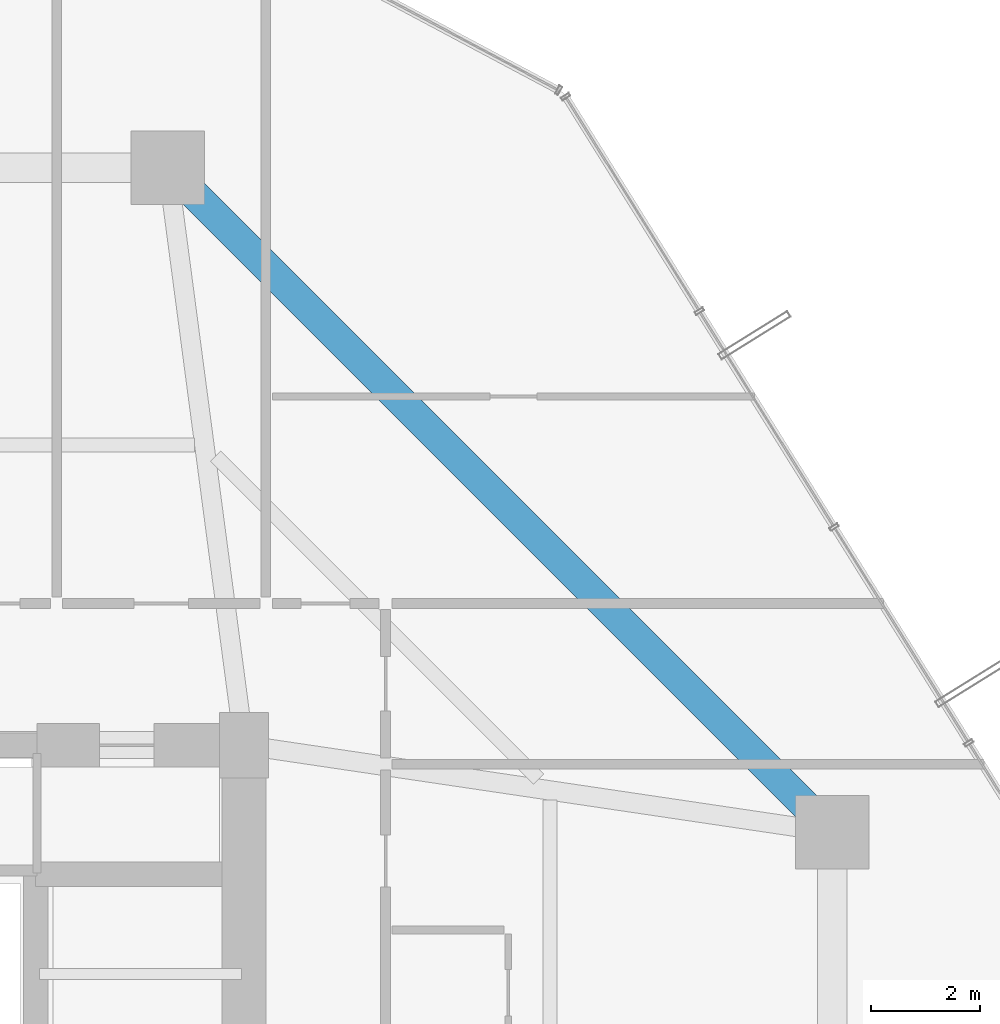
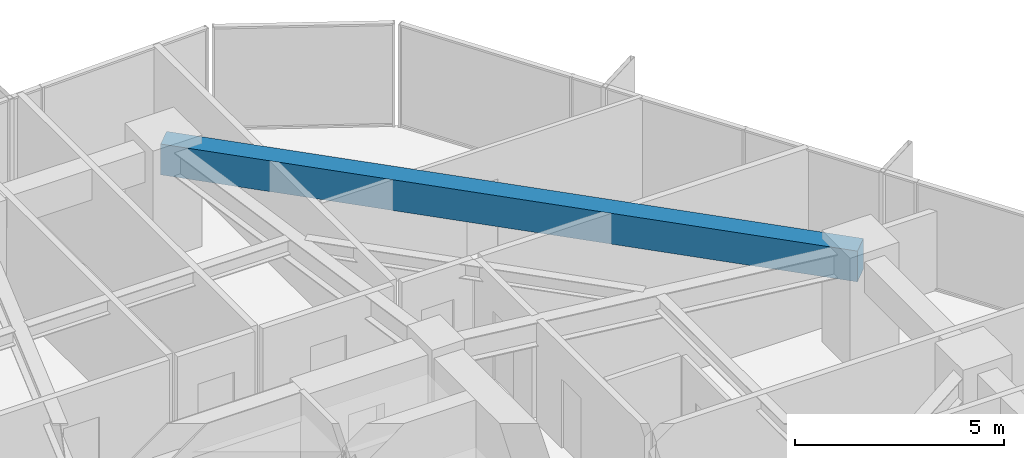
# One storey, part 30 of 39: 1 beam.
"""IFC4 building model written with IfcOpenShell, lengths in metres."""

import ifcopenshell
import ifcopenshell.guid

model = None  # the IFC model being written
_history = None  # IfcOwnerHistory: only IFC2X3 demands one
_inside = {}  # id of a spatial element -> (the spatial element, [elements in it])
_under = {}  # id of a project, library or spatial element -> (it, [spatial elements below it])
_declared = {}  # id of a project -> (the project, [libraries it declares])
_typed = {}  # id of a type object -> (the type object, [elements of that type])
_made_of = {}  # id of a material, layer set ... -> (it, [elements and type objects made of it])


def new_model(schema):
    """Start an empty IFC model of exactly this schema.

    Asked for "IFC4X3", IfcOpenShell would pick the latest addendum, in which some entities
    have other attributes; the version numbers below select the first issue.
    IFC2X3 requires an IfcOwnerHistory on every rooted entity: one is made here for all.
    """
    global model, _history
    if schema == "IFC4X3":
        model = ifcopenshell.file(schema_version=(4, 3, 0, 0))
    else:
        model = ifcopenshell.file(schema=schema)
    _inside.clear()
    _under.clear()
    _declared.clear()
    _typed.clear()
    _made_of.clear()
    _history = None
    if model.schema == "IFC2X3":
        org = make("IfcOrganization", Name="unknown")
        user = make(
            "IfcPersonAndOrganization",
            ThePerson=make("IfcPerson", FamilyName="unknown"),
            TheOrganization=org,
        )
        app = make(
            "IfcApplication",
            ApplicationDeveloper=org,
            Version="unknown",
            ApplicationFullName="unknown",
            ApplicationIdentifier="unknown",
        )
        _history = make(
            "IfcOwnerHistory",
            OwningUser=user,
            OwningApplication=app,
            ChangeAction="ADDED",
            CreationDate=0,
        )
    return model


def make(cls, **values):
    """One entity of the class cls with the attributes given. An attribute that is None is left unset."""
    return model.create_entity(
        cls, **{name: value for name, value in values.items() if value is not None}
    )


def rooted(cls, **values):
    """An entity with a GlobalId (a new one), such as an element, a storey or a relation."""
    return make(cls, GlobalId=ifcopenshell.guid.new(), OwnerHistory=_history, **values)


def si_unit(unit_type, name, prefix=None):
    """IfcSIUnit, for example si_unit("LENGTHUNIT", "METRE", prefix="MILLI")."""
    return make("IfcSIUnit", UnitType=unit_type, Prefix=prefix, Name=name)


def assignment(units):
    """IfcUnitAssignment: the units of a project."""
    return None if units is None else make("IfcUnitAssignment", Units=units)


def point(xyz):
    """IfcCartesianPoint."""
    return None if xyz is None else make("IfcCartesianPoint", Coordinates=xyz)


def direction(xyz):
    """IfcDirection."""
    return None if xyz is None else make("IfcDirection", DirectionRatios=xyz)


def frame(location, z_axis=None, x_axis=None):
    """IfcAxis2Placement3D, a coordinate frame: its origin and axes. An axis left out is left unset."""
    return make(
        "IfcAxis2Placement3D",
        Location=point(location),
        Axis=direction(z_axis),
        RefDirection=direction(x_axis),
    )


def frame_2d(location, x_axis=None):
    """IfcAxis2Placement2D, a coordinate frame in the plane: its origin and x axis."""
    return make(
        "IfcAxis2Placement2D", Location=point(location), RefDirection=direction(x_axis)
    )


def origin():
    """The frame at (0, 0, 0) with its axes left unset."""
    return frame((0.0, 0.0, 0.0))


def origin_2d():
    """The frame at (0, 0) in the plane with its x axis left unset."""
    return frame_2d((0.0, 0.0))


def place(relative_to, where):
    """IfcLocalPlacement: puts the frame where relative to a parent placement (None: the world)."""
    return make(
        "IfcLocalPlacement", PlacementRelTo=relative_to, RelativePlacement=where
    )


def context(
    kind, dimensions, precision=None, world=None, true_north=None, identifier=None
):
    """IfcGeometricRepresentationContext, for example the 3D "Model" context."""
    return make(
        "IfcGeometricRepresentationContext",
        ContextIdentifier=identifier,
        ContextType=kind,
        CoordinateSpaceDimension=dimensions,
        Precision=precision,
        WorldCoordinateSystem=world,
        TrueNorth=true_north,
    )


def subcontext(parent, identifier, kind, view, scale=None):
    """IfcGeometricRepresentationSubContext, for example "Body" below "Model"."""
    return make(
        "IfcGeometricRepresentationSubContext",
        ContextIdentifier=identifier,
        ContextType=kind,
        ParentContext=parent,
        TargetScale=scale,
        TargetView=view,
    )


def project(units=None, contexts=None):
    """IfcProject with its units and contexts."""
    return rooted(
        "IfcProject",
        Name="project",
        RepresentationContexts=contexts,
        UnitsInContext=assignment(units),
    )


def spatial(cls, under=None, at=None, **own):
    """A site, building, storey or space (cls), placed at a placement, below another one or the project."""
    s = rooted(cls, ObjectPlacement=at, **own)
    if under is not None:
        _under.setdefault(under.id(), (under, []))[1].append(s)
    return s


def profile(cls, at=None, kind="AREA", **sizes):
    """A parametric profile (cls). Its sizes go by their IFC names, for example OverallWidth=200.0."""
    return make(cls, ProfileType=kind, Position=at, **sizes)


def rectangle(**sizes):
    """IfcRectangleProfileDef."""
    return profile("IfcRectangleProfileDef", **sizes)


def extrude(swept, where, along, depth):
    """IfcExtrudedAreaSolid: the profile swept, set in the frame where, extruded along a direction by depth."""
    return make(
        "IfcExtrudedAreaSolid",
        SweptArea=swept,
        Position=where,
        ExtrudedDirection=direction(along),
        Depth=depth,
    )


def shape(context_of_items, identifier, shape_type, items):
    """IfcShapeRepresentation: the items that make up one representation, for example the "Body"."""
    return make(
        "IfcShapeRepresentation",
        ContextOfItems=context_of_items,
        RepresentationIdentifier=identifier,
        RepresentationType=shape_type,
        Items=items,
    )


def material(Name=None, Category=None):
    """IfcMaterial."""
    return make("IfcMaterial", Name=Name, Category=Category)


def material_profile(
    of_material, cross_section, Name=None, Category=None, Priority=None
):
    """IfcMaterialProfile: a cross section and its material."""
    return make(
        "IfcMaterialProfile",
        Name=Name,
        Material=of_material,
        Profile=cross_section,
        Priority=Priority,
        Category=Category,
    )


def profile_set(profiles, Name=None, composite=None):
    """IfcMaterialProfileSet."""
    return make(
        "IfcMaterialProfileSet",
        Name=Name,
        MaterialProfiles=profiles,
        CompositeProfile=composite,
    )


def made_of(thing, what):
    """Note that an element or type object is made of a material, layer set ...; save() writes the relation."""
    if what is not None:
        _made_of.setdefault(what.id(), (what, []))[1].append(thing)
    return thing


def type_object(cls, material=None, **own):
    """A type object (cls), such as IfcWallType, which elements share."""
    return made_of(rooted(cls, **own), material)


def element(
    cls,
    number,
    at=None,
    inside=None,
    cuts=None,
    type_object=None,
    material=None,
    context=None,
    identifier="Body",
    shape_type=None,
    held_by="IfcProductDefinitionShape",
    body=None,
    shapes=None,
    **own,
):
    """One element of the class cls, such as IfcWall. Its Tag is "e" and its number.

    at: its placement. inside: the storey or other place that contains it. cuts: it is an
    opening in that element (IfcRelVoidsElement). A single representation is given by context,
    identifier, shape_type and body (its items); several are given by shapes. held_by: the class
    of the entity that holds the representations. save() writes the other relations.
    """
    e = rooted(cls, Tag="e%d" % number, ObjectPlacement=at, **own)
    if body is not None:
        shapes = [shape(context, identifier, shape_type, body)]
    if shapes is not None:
        e.Representation = make(held_by, Representations=shapes)
    if inside is not None:
        _inside.setdefault(inside.id(), (inside, []))[1].append(e)
    if cuts is not None:
        rooted(
            "IfcRelVoidsElement", RelatingBuildingElement=cuts, RelatedOpeningElement=e
        )
    if type_object is not None:
        _typed.setdefault(type_object.id(), (type_object, []))[1].append(e)
    return made_of(e, material)


def aggregate(whole, parts):
    """IfcRelAggregates: a whole, such as a stair, and the parts it consists of."""
    return rooted("IfcRelAggregates", RelatingObject=whole, RelatedObjects=parts)


def save(model, path):
    """Write the relations noted so far, then the file.

    IfcRelAggregates (storeys below a building ...), IfcRelContainedInSpatialStructure (elements
    in a storey), IfcRelDefinesByType, IfcRelAssociatesMaterial and IfcRelDeclares: one each for
    every whole, place, type object, material and project.
    """
    for whole, parts in _under.values():
        aggregate(whole, parts)
    for where, things in _inside.values():
        rooted(
            "IfcRelContainedInSpatialStructure",
            RelatedElements=things,
            RelatingStructure=where,
        )
    for kind, things in _typed.values():
        rooted("IfcRelDefinesByType", RelatedObjects=things, RelatingType=kind)
    for what, things in _made_of.values():
        rooted("IfcRelAssociatesMaterial", RelatedObjects=things, RelatingMaterial=what)
    for by, libraries in _declared.values():
        rooted("IfcRelDeclares", RelatingContext=by, RelatedDefinitions=libraries)
    model.write(path)


model = new_model("IFC4")

# Units and contexts
model_context = context("Model", 3, precision=1e-05, world=origin(), true_north=direction((0.0, 1.0)))
body_context = subcontext(model_context, "Body", "Model", "MODEL_VIEW")
ifc_project = project(units=[si_unit("LENGTHUNIT", "METRE"), si_unit("AREAUNIT", "SQUARE_METRE"), si_unit("VOLUMEUNIT", "CUBIC_METRE"), si_unit("PLANEANGLEUNIT", "RADIAN"), si_unit("MASSUNIT", "GRAM", prefix="KILO")], contexts=[model_context])

# Site, building, storey
site_placement = place(None, origin())
site = spatial("IfcSite", under=ifc_project, at=site_placement, CompositionType="ELEMENT")
building_placement = place(site_placement, origin())
building = spatial("IfcBuilding", under=site, at=building_placement, Name="Veraguas Prism Commons", CompositionType="ELEMENT")
storey_placement = place(building_placement, frame((0.0, 0.0, 30.550048828125)))
storey = spatial("IfcBuildingStorey", under=building, at=storey_placement, Name="L07", CompositionType="ELEMENT", Elevation=30.550048828125)

# Beam
ifc_material = material(Name="Concrete C50/60", Category="concrete")
ifc_material_profile = material_profile(ifc_material, rectangle(XDim=0.550048828125, YDim=0.89990234375, at=origin_2d()), Name="RC550X900")
ifc_profile_set = profile_set([ifc_material_profile], Name="Concrete C50/60")
beam_type = type_object("IfcBeamType", Name="Perimeter Spandrel Lower RC 550x900", PredefinedType="SPANDREL", material=ifc_profile_set)
beam_placement = place(storey_placement, frame((41.60009765625, 29.39990234375, 2.550048828125), z_axis=(-0.707106781187, 0.707106781187, 0.0), x_axis=(-0.707106781187, -0.707106781187, 0.0)))
element("IfcBeam", 1, at=beam_placement, inside=storey, type_object=beam_type, Name="Perimeter Spandrel Beam L07-SP03", PredefinedType="SPANDREL", context=body_context, shape_type="SweptSolid", body=[
    extrude(rectangle(XDim=0.550048828125, YDim=0.89990234375, at=origin_2d()), origin(), (0.0, 0.0, 1.0), 17.253662109375),
])

save(model, "model.ifc")
